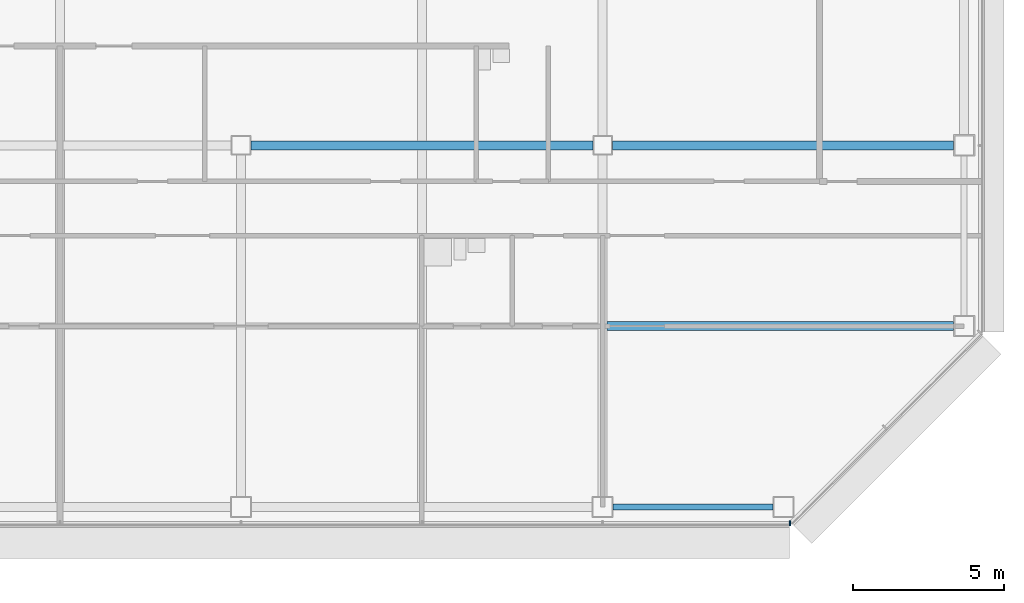
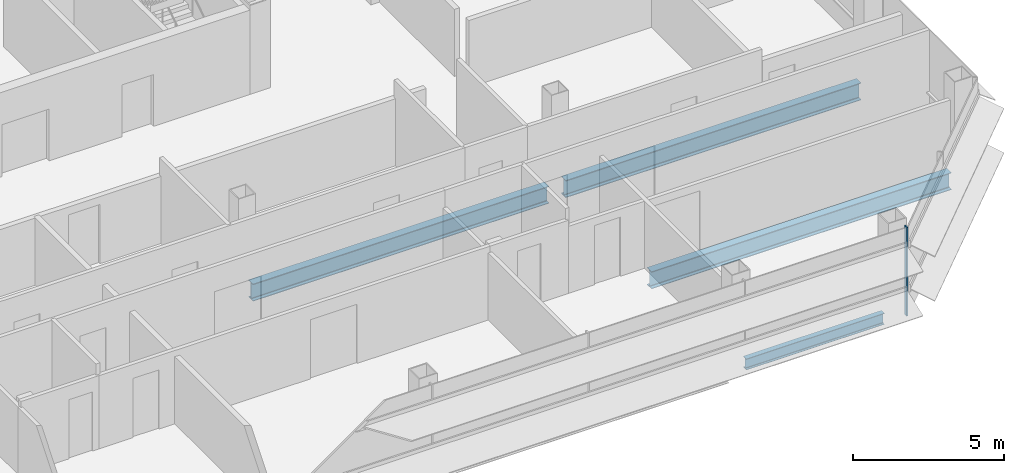
# One storey, part 9 of 24: 4 beams, 1 member, 1 element without a shape of its own.
"""IFC4 building model written with IfcOpenShell, lengths in metres."""

from ifc_helpers import new_model, si_unit, direction, frame, origin, origin_2d, place, context, subcontext, project, spatial, rectangle, i_section, extrude, material, material_profile, profile_set, type_object, element, aggregate, save


model = new_model("IFC4")

# Units and contexts
model_context = context("Model", 3, precision=1e-05, world=origin(), true_north=direction((0.0, 1.0)))
body_context = subcontext(model_context, "Body", "Model", "MODEL_VIEW")
ifc_project = project(units=[si_unit("LENGTHUNIT", "METRE"), si_unit("AREAUNIT", "SQUARE_METRE"), si_unit("VOLUMEUNIT", "CUBIC_METRE"), si_unit("PLANEANGLEUNIT", "RADIAN"), si_unit("MASSUNIT", "GRAM", prefix="KILO")], contexts=[model_context])

# Site, building, storey
site_placement = place(None, origin())
site = spatial("IfcSite", under=ifc_project, at=site_placement, CompositionType="ELEMENT")
building_placement = place(site_placement, origin())
building = spatial("IfcBuilding", under=site, at=building_placement, Name="Sorahane Residences", CompositionType="ELEMENT")
storey_placement = place(building_placement, frame((0.0, 0.0, 174.39990234375)))
storey = spatial("IfcBuildingStorey", under=building, at=storey_placement, Name="L40", CompositionType="ELEMENT", Elevation=174.39990234375)

# Curtain wall, member
ifc_material_1 = material(Name="Dark low-e glass and black anodised aluminium", Category="aluminium")
curtain_wall_type = type_object("IfcCurtainWallType", Name="Curtain wall CW-1 Typical unitised wall", PredefinedType="NOTDEFINED", material=ifc_material_1)
curtain_wall_placement = place(storey_placement, origin())
curtain_wall = element("IfcCurtainWall", 1, at=curtain_wall_placement, inside=storey, type_object=curtain_wall_type, Name="CW-1 curtain wall L40 S1", PredefinedType="NOTDEFINED")
ifc_material_2 = material(Name="Black anodised aluminium", Category="aluminium")
ifc_material_profile_1 = material_profile(ifc_material_2, rectangle(XDim=0.159912109375, YDim=0.050048828125, at=origin_2d()), Name="Curtain wall mullion CW-1 black anodised aluminium 50x160")
ifc_profile_set_1 = profile_set([ifc_material_profile_1], Name="Black anodised aluminium")
member_type = type_object("IfcMemberType", Name="Curtain wall mullion CW-1 black anodised aluminium 50x160", PredefinedType="MULLION", material=ifc_profile_set_1)
member_placement = place(storey_placement, frame((54.2236328125, -0.5400390625, -0.179931640625), z_axis=(0.0, 0.0, 1.0), x_axis=(0.0, -1.0, 0.0)))
member = element("IfcMember", 2, at=member_placement, type_object=member_type, Name="CW-1 mullion L40 S1.10", PredefinedType="MULLION", context=body_context, shape_type="SweptSolid", body=[
    extrude(rectangle(XDim=0.159912109375, YDim=0.050048828125, at=origin_2d()), origin(), (0.0, 0.0, 1.0), 3.60009765625),
])
aggregate(curtain_wall, [member])

# Beams
ifc_material_3 = material(Name="Steel Q355B", Category="steel")
ifc_material_profile_2 = material_profile(ifc_material_3, i_section(OverallWidth=0.199951171875, OverallDepth=0.449951171875, WebThickness=0.009033203125, FlangeThickness=0.013916015625, FilletRadius=0.02001953125, at=origin_2d()), Name="HN 450x200x9x14")
ifc_profile_set_2 = profile_set([ifc_material_profile_2], Name="Steel Q355B")
beam_type_1 = type_object("IfcBeamType", Name="Steel floor beam HN 450x200x9x14 Q355B", PredefinedType="BEAM", material=ifc_profile_set_2)
beam_1_placement = place(storey_placement, frame((48.35009765625, 0.0, -0.40478515625), z_axis=(1.0, 0.0, 0.0), x_axis=(0.0, 1.0, 0.0)))
element("IfcBeam", 3, at=beam_1_placement, inside=storey, type_object=beam_type_1, Name="Beam L40 004", PredefinedType="BEAM", context=body_context, shape_type="SweptSolid", body=[
    extrude(i_section(OverallWidth=0.199951171875, OverallDepth=0.449951171875, WebThickness=0.009033203125, FlangeThickness=0.013916015625, FilletRadius=0.02001953125, at=origin_2d()), origin(), (0.0, 0.0, 1.0), 5.2998046875),
])
ifc_material_4 = material(Name="Steel Q355B", Category="steel")
ifc_material_profile_3 = material_profile(ifc_material_4, i_section(OverallWidth=0.300048828125, OverallDepth=0.699951171875, WebThickness=0.012939453125, FlangeThickness=0.02392578125, FilletRadius=0.028076171875, at=origin_2d()), Name="HN 700x300x13x24")
ifc_profile_set_3 = profile_set([ifc_material_profile_3], Name="Steel Q355B")
beam_type_2 = type_object("IfcBeamType", Name="Steel floor beam HN 700x300x13x24 Q355B", PredefinedType="BEAM", material=ifc_profile_set_3)
beam_2_placement = place(storey_placement, frame((36.324951171875, 12.0, -0.52978515625), z_axis=(1.0, 0.0, 0.0), x_axis=(0.0, 1.0, 0.0)))
element("IfcBeam", 4, at=beam_2_placement, inside=storey, type_object=beam_type_2, Name="Beam L40 009", PredefinedType="BEAM", context=body_context, shape_type="SweptSolid", body=[
    extrude(i_section(OverallWidth=0.300048828125, OverallDepth=0.699951171875, WebThickness=0.012939453125, FlangeThickness=0.02392578125, FilletRadius=0.028076171875, at=origin_2d()), origin(), (0.0, 0.0, 1.0), 11.35009765625),
])
beam_3_placement = place(storey_placement, frame((48.324951171875, 12.0, -0.52978515625), z_axis=(1.0, 0.0, 0.0), x_axis=(0.0, 1.0, 0.0)))
element("IfcBeam", 5, at=beam_3_placement, inside=storey, type_object=beam_type_2, Name="Beam L40 010", PredefinedType="BEAM", context=body_context, shape_type="SweptSolid", body=[
    extrude(i_section(OverallWidth=0.300048828125, OverallDepth=0.699951171875, WebThickness=0.012939453125, FlangeThickness=0.02392578125, FilletRadius=0.028076171875, at=origin_2d()), origin(), (0.0, 0.0, 1.0), 11.324951171875),
])
beam_4_placement = place(storey_placement, frame((48.14990234375, 6.0, -0.52978515625), z_axis=(1.0, 0.0, 0.0), x_axis=(0.0, 1.0, 0.0)))
element("IfcBeam", 6, at=beam_4_placement, inside=storey, type_object=beam_type_2, Name="Beam L40 077", PredefinedType="BEAM", context=body_context, shape_type="SweptSolid", body=[
    extrude(i_section(OverallWidth=0.300048828125, OverallDepth=0.699951171875, WebThickness=0.012939453125, FlangeThickness=0.02392578125, FilletRadius=0.028076171875, at=origin_2d()), origin(), (0.0, 0.0, 1.0), 11.5),
])

save(model, "model.ifc")
